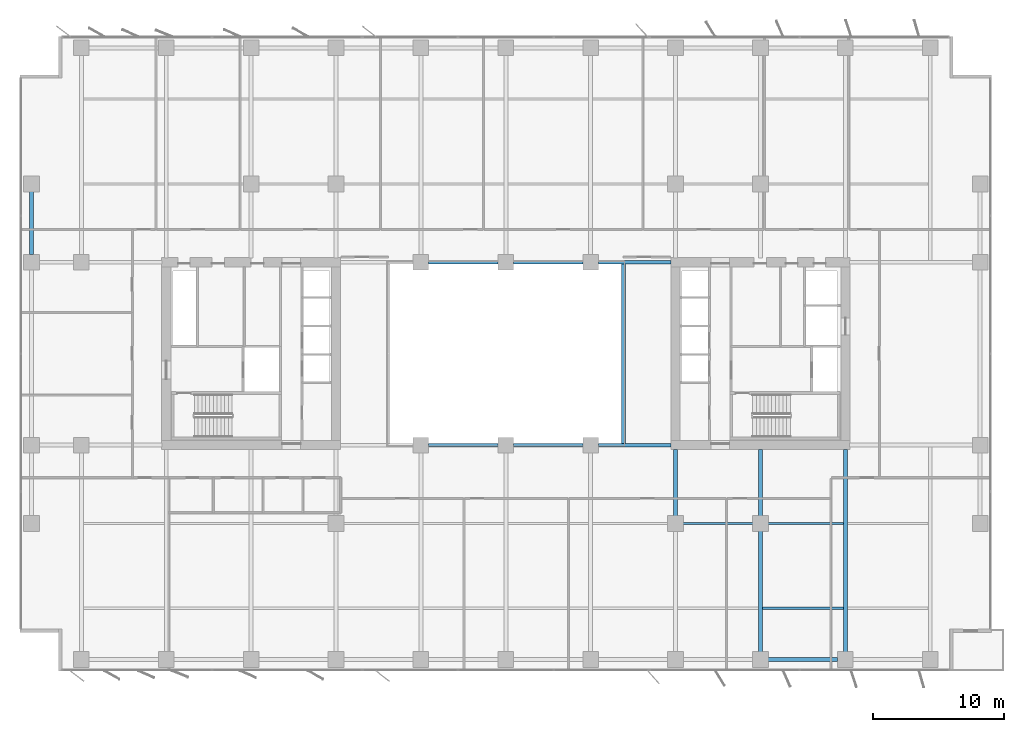
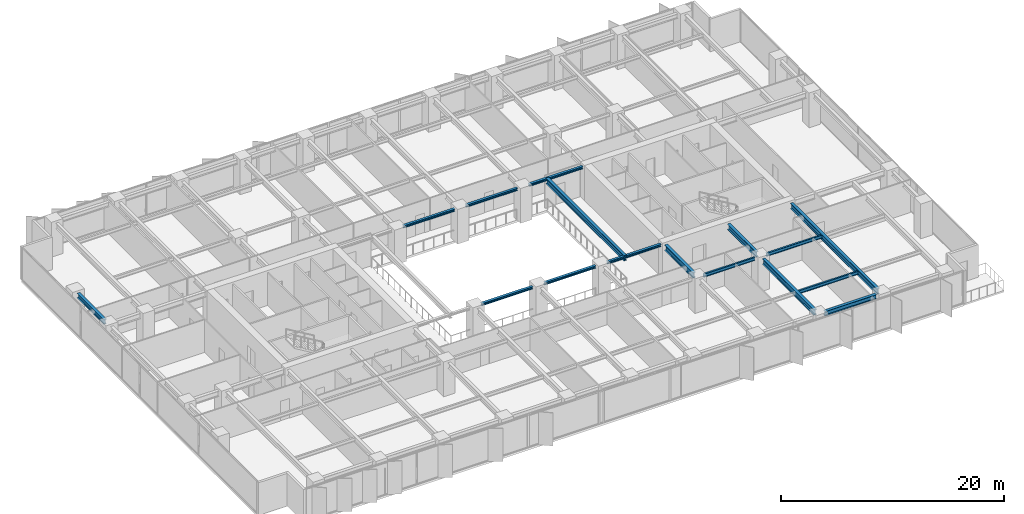
# One storey, part 6 of 20: 16 beams.
"""IFC4 building model written with IfcOpenShell, lengths in metres."""

from ifc_helpers import new_model, si_unit, direction, frame, origin, origin_2d, place, context, subcontext, project, spatial, i_section, extrude, material, material_profile, profile_set, type_object, element, save


model = new_model("IFC4")

# Units and contexts
model_context = context("Model", 3, precision=1e-05, world=origin(), true_north=direction((0.0, 1.0)))
body_context = subcontext(model_context, "Body", "Model", "MODEL_VIEW")
ifc_project = project(units=[si_unit("LENGTHUNIT", "METRE"), si_unit("AREAUNIT", "SQUARE_METRE"), si_unit("VOLUMEUNIT", "CUBIC_METRE"), si_unit("PLANEANGLEUNIT", "RADIAN"), si_unit("MASSUNIT", "GRAM", prefix="KILO")], contexts=[model_context])

# Site, building, storey
site_placement = place(None, origin())
site = spatial("IfcSite", under=ifc_project, at=site_placement, CompositionType="ELEMENT")
building_placement = place(site_placement, origin())
building = spatial("IfcBuilding", under=site, at=building_placement, Name="Putna Gate Headquarters", CompositionType="ELEMENT")
storey_placement = place(building_placement, frame((0.0, 0.0, 116.39990234375)))
storey = spatial("IfcBuildingStorey", under=building, at=storey_placement, Name="L28", CompositionType="ELEMENT", Elevation=116.39990234375)

# Beams
ifc_material = material(Name="Steel S355J2", Category="steel")
ifc_material_profile_1 = material_profile(ifc_material, i_section(OverallWidth=0.260009765625, OverallDepth=0.260009765625, WebThickness=0.010009765625, FlangeThickness=0.017578125, at=origin_2d()), Name="Steel S355J2")
ifc_profile_set_1 = profile_set([ifc_material_profile_1], Name="Steel S355J2")
beam_type_1 = type_object("IfcBeamType", Name="BM-ATRIUM-HEB260", PredefinedType="BEAM", material=ifc_profile_set_1)
for number, where, z_axis, x_axis, name in (
    (1, (33.087890625, 19.0, 3.43505859375), (1.0, 0.0, 0.0), (0.0, 1.0, 0.0), "L28 Atrium Edge Beam AS2"),
    (2, (39.587890625, 19.0, 3.43505859375), (1.0, 0.0, 0.0), (0.0, 1.0, 0.0), "L28 Atrium Edge Beam AS3"),
):
    element("IfcBeam", number, at=place(storey_placement, frame(where, z_axis=z_axis, x_axis=x_axis)), inside=storey, type_object=beam_type_1, Name=name, PredefinedType="BEAM", context=body_context, shape_type="SweptSolid", body=[
        extrude(i_section(OverallWidth=0.260009765625, OverallDepth=0.260009765625, WebThickness=0.010009765625, FlangeThickness=0.017578125, at=origin_2d()), origin(), (0.0, 0.0, 1.0), 5.32421875),
    ])
beam_1_placement = place(storey_placement, frame((46.087890625, 19.0, 3.43505859375), z_axis=(1.0, 0.0, 0.0), x_axis=(0.0, 1.0, 0.0)))
element("IfcBeam", 3, at=beam_1_placement, inside=storey, type_object=beam_type_1, Name="L28 Atrium Edge Beam AS4", PredefinedType="BEAM", context=body_context, shape_type="SweptSolid", body=[
    extrude(i_section(OverallWidth=0.260009765625, OverallDepth=0.260009765625, WebThickness=0.010009765625, FlangeThickness=0.017578125, at=origin_2d()), origin(), (0.0, 0.0, 1.0), 5.5771484375),
])
for number, where, z_axis, x_axis, name in (
    (4, (33.087890625, 33.0, 3.43505859375), (1.0, 0.0, 0.0), (0.0, 1.0, 0.0), "L28 Atrium Edge Beam AN2"),
    (5, (39.587890625, 33.0, 3.43505859375), (1.0, 0.0, 0.0), (0.0, 1.0, 0.0), "L28 Atrium Edge Beam AN3"),
):
    element("IfcBeam", number, at=place(storey_placement, frame(where, z_axis=z_axis, x_axis=x_axis)), inside=storey, type_object=beam_type_1, Name=name, PredefinedType="BEAM", context=body_context, shape_type="SweptSolid", body=[
        extrude(i_section(OverallWidth=0.260009765625, OverallDepth=0.260009765625, WebThickness=0.010009765625, FlangeThickness=0.017578125, at=origin_2d()), origin(), (0.0, 0.0, 1.0), 5.32421875),
    ])
beam_2_placement = place(storey_placement, frame((46.087890625, 33.0, 3.43505859375), z_axis=(1.0, 0.0, 0.0), x_axis=(0.0, 1.0, 0.0)))
element("IfcBeam", 6, at=beam_2_placement, inside=storey, type_object=beam_type_1, Name="L28 Atrium Edge Beam AN4", PredefinedType="BEAM", context=body_context, shape_type="SweptSolid", body=[
    extrude(i_section(OverallWidth=0.260009765625, OverallDepth=0.260009765625, WebThickness=0.010009765625, FlangeThickness=0.017578125, at=origin_2d()), origin(), (0.0, 0.0, 1.0), 5.5771484375),
])
ifc_material_profile_2 = material_profile(ifc_material, i_section(OverallWidth=0.300048828125, OverallDepth=0.60009765625, WebThickness=0.015380859375, FlangeThickness=0.030029296875, at=origin_2d()), Name="Steel S355J2")
ifc_profile_set_2 = profile_set([ifc_material_profile_2], Name="Steel S355J2")
beam_type_2 = type_object("IfcBeamType", Name="BM-GIRD-Z2-HEB600", PredefinedType="USERDEFINED", material=ifc_profile_set_2)
beam_3_placement = place(storey_placement, frame((52.0, 13.587890625, 3.26513671875), z_axis=(0.0, 1.0, 0.0), x_axis=(-1.0, 0.0, 0.0)))
element("IfcBeam", 7, at=beam_3_placement, inside=storey, type_object=beam_type_2, Name="L28 South Primary Girder X52-2", ObjectType="GIRDER", PredefinedType="USERDEFINED", context=body_context, shape_type="SweptSolid", body=[
    extrude(i_section(OverallWidth=0.300048828125, OverallDepth=0.60009765625, WebThickness=0.015380859375, FlangeThickness=0.030029296875, at=origin_2d()), origin(), (0.0, 0.0, 1.0), 5.0771484375),
])
beam_4_placement = place(storey_placement, frame((58.5, 3.16796875, 3.26513671875), z_axis=(0.0, 1.0, 0.0), x_axis=(-1.0, 0.0, 0.0)))
element("IfcBeam", 8, at=beam_4_placement, inside=storey, type_object=beam_type_2, Name="L28 South Primary Girder X58-1", ObjectType="GIRDER", PredefinedType="USERDEFINED", context=body_context, shape_type="SweptSolid", body=[
    extrude(i_section(OverallWidth=0.300048828125, OverallDepth=0.60009765625, WebThickness=0.015380859375, FlangeThickness=0.030029296875, at=origin_2d()), origin(), (0.0, 0.0, 1.0), 9.244140625),
])
beam_5_placement = place(storey_placement, frame((58.5, 13.587890625, 3.26513671875), z_axis=(0.0, 1.0, 0.0), x_axis=(-1.0, 0.0, 0.0)))
element("IfcBeam", 9, at=beam_5_placement, inside=storey, type_object=beam_type_2, Name="L28 South Primary Girder X58-2", ObjectType="GIRDER", PredefinedType="USERDEFINED", context=body_context, shape_type="SweptSolid", body=[
    extrude(i_section(OverallWidth=0.300048828125, OverallDepth=0.60009765625, WebThickness=0.015380859375, FlangeThickness=0.030029296875, at=origin_2d()), origin(), (0.0, 0.0, 1.0), 5.0771484375),
])
beam_6_placement = place(storey_placement, frame((65.0, 3.16796875, 3.26513671875), z_axis=(0.0, 1.0, 0.0), x_axis=(-1.0, 0.0, 0.0)))
element("IfcBeam", 10, at=beam_6_placement, inside=storey, type_object=beam_type_2, Name="L28 South Primary Girder X65", ObjectType="GIRDER", PredefinedType="USERDEFINED", context=body_context, shape_type="SweptSolid", body=[
    extrude(i_section(OverallWidth=0.300048828125, OverallDepth=0.60009765625, WebThickness=0.015380859375, FlangeThickness=0.030029296875, at=origin_2d()), origin(), (0.0, 0.0, 1.0), 15.4970703125),
])
beam_7_placement = place(storey_placement, frame((48.0, 19.010009765625, 3.26513671875), z_axis=(0.0, 1.0, 0.0), x_axis=(-1.0, 0.0, 0.0)))
element("IfcBeam", 11, at=beam_7_placement, inside=storey, type_object=beam_type_2, Name="L28 Atrium Trim Girder AE", ObjectType="GIRDER", PredefinedType="USERDEFINED", context=body_context, shape_type="SweptSolid", body=[
    extrude(i_section(OverallWidth=0.300048828125, OverallDepth=0.60009765625, WebThickness=0.015380859375, FlangeThickness=0.030029296875, at=origin_2d()), origin(), (0.0, 0.0, 1.0), 13.97998046875),
])
ifc_material_profile_3 = material_profile(ifc_material, i_section(OverallWidth=0.169921875, OverallDepth=0.360107421875, WebThickness=0.008056640625, FlangeThickness=0.0126953125, at=origin_2d()), Name="Steel S355J2")
ifc_profile_set_3 = profile_set([ifc_material_profile_3], Name="Steel S355J2")
beam_type_3 = type_object("IfcBeamType", Name="BM-SEC-Z2-IPE360", PredefinedType="BEAM", material=ifc_profile_set_3)
beam_8_placement = place(storey_placement, frame((52.587890625, 13.0, 3.385009765625), z_axis=(1.0, 0.0, 0.0), x_axis=(0.0, 1.0, 0.0)))
element("IfcBeam", 12, at=beam_8_placement, inside=storey, type_object=beam_type_3, Name="L28 South Secondary Beam 8", PredefinedType="BEAM", context=body_context, shape_type="SweptSolid", body=[
    extrude(i_section(OverallWidth=0.169921875, OverallDepth=0.360107421875, WebThickness=0.008056640625, FlangeThickness=0.0126953125, at=origin_2d()), origin(), (0.0, 0.0, 1.0), 5.32421875),
])
beam_9_placement = place(storey_placement, frame((58.654052734375, 6.5, 3.385009765625), z_axis=(1.0, 0.0, 0.0), x_axis=(0.0, 1.0, 0.0)))
element("IfcBeam", 13, at=beam_9_placement, inside=storey, type_object=beam_type_3, Name="L28 South Secondary Beam 9", PredefinedType="BEAM", context=body_context, shape_type="SweptSolid", body=[
    extrude(i_section(OverallWidth=0.169921875, OverallDepth=0.360107421875, WebThickness=0.008056640625, FlangeThickness=0.0126953125, at=origin_2d()), origin(), (0.0, 0.0, 1.0), 6.19189453125),
])
beam_10_placement = place(storey_placement, frame((59.087890625, 13.0, 3.385009765625), z_axis=(1.0, 0.0, 0.0), x_axis=(0.0, 1.0, 0.0)))
element("IfcBeam", 14, at=beam_10_placement, inside=storey, type_object=beam_type_3, Name="L28 South Secondary Beam 9", PredefinedType="BEAM", context=body_context, shape_type="SweptSolid", body=[
    extrude(i_section(OverallWidth=0.169921875, OverallDepth=0.360107421875, WebThickness=0.008056640625, FlangeThickness=0.0126953125, at=origin_2d()), origin(), (0.0, 0.0, 1.0), 5.758056640625),
])
ifc_material_profile_4 = material_profile(ifc_material, i_section(OverallWidth=0.300048828125, OverallDepth=0.489990234375, WebThickness=0.011962890625, FlangeThickness=0.02294921875, at=origin_2d()), Name="Steel S355J2")
ifc_profile_set_4 = profile_set([ifc_material_profile_4], Name="Steel S355J2")
beam_type_4 = type_object("IfcBeamType", Name="BM-SPAN-Z2-HEA500", PredefinedType="SPANDREL", material=ifc_profile_set_4)
beam_11_placement = place(storey_placement, frame((59.087890625, 2.580078125, 3.320068359375), z_axis=(1.0, 0.0, 0.0), x_axis=(0.0, 1.0, 0.0)))
element("IfcBeam", 15, at=beam_11_placement, inside=storey, type_object=beam_type_4, Name="L28 S Perimeter Spandrel 9", PredefinedType="SPANDREL", context=body_context, shape_type="SweptSolid", body=[
    extrude(i_section(OverallWidth=0.300048828125, OverallDepth=0.489990234375, WebThickness=0.011962890625, FlangeThickness=0.02294921875, at=origin_2d()), origin(), (0.0, 0.0, 1.0), 5.32421875),
])
beam_12_placement = place(storey_placement, frame((2.679931640625, 33.587890625, 3.320068359375), z_axis=(0.0, 1.0, 0.0), x_axis=(-1.0, 0.0, 0.0)))
element("IfcBeam", 16, at=beam_12_placement, inside=storey, type_object=beam_type_4, Name="L28 W End Spandrel 3", PredefinedType="SPANDREL", context=body_context, shape_type="SweptSolid", body=[
    extrude(i_section(OverallWidth=0.300048828125, OverallDepth=0.489990234375, WebThickness=0.011962890625, FlangeThickness=0.02294921875, at=origin_2d()), origin(), (0.0, 0.0, 1.0), 4.82421875),
])

save(model, "model.ifc")
